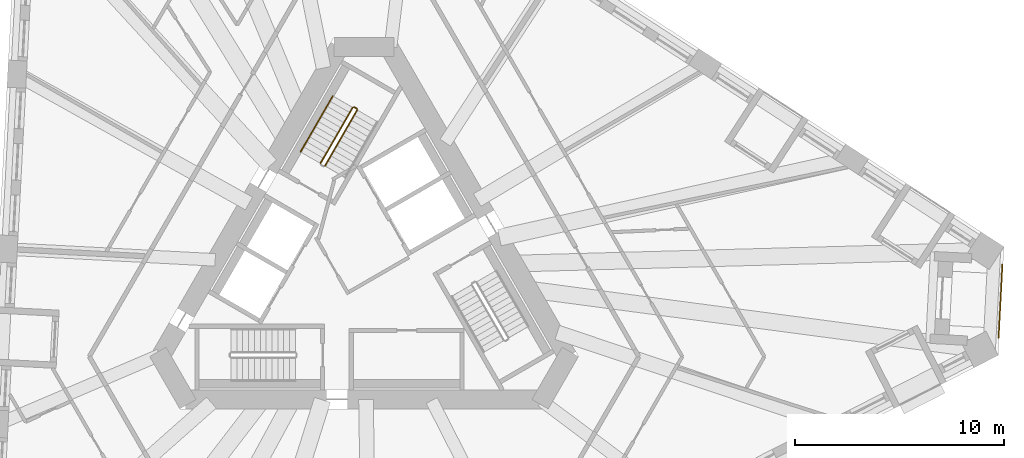
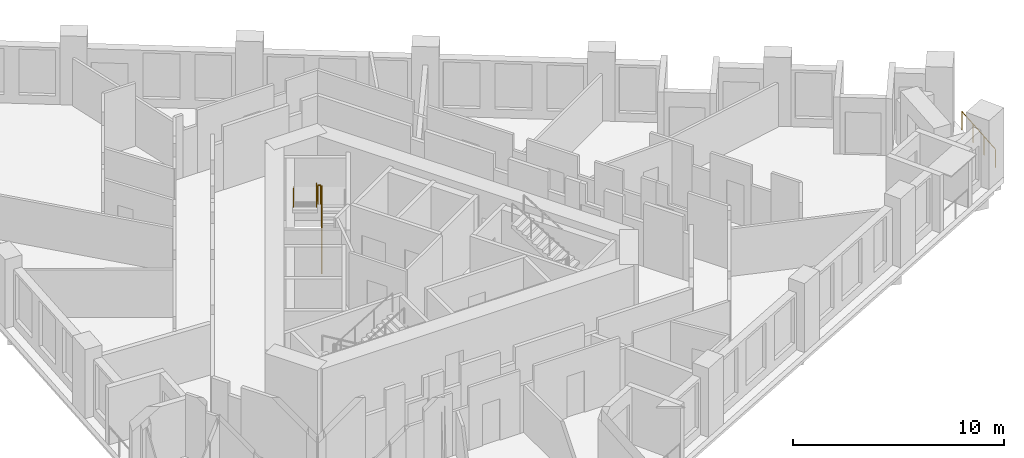
# One storey, part 11 of 12: 5 railings.
"""IFC4 building model written with IfcOpenShell, lengths in metres."""

from ifc_helpers import new_model, si_unit, direction, frame, origin, origin_2d, place, context, subcontext, project, spatial, circle, extrude, material, type_object, element, save


model = new_model("IFC4")

# Units and contexts
model_context = context("Model", 3, precision=1e-05, world=origin(), true_north=direction((0.0, 1.0)))
body_context = subcontext(model_context, "Body", "Model", "MODEL_VIEW")
ifc_project = project(units=[si_unit("LENGTHUNIT", "METRE"), si_unit("AREAUNIT", "SQUARE_METRE"), si_unit("VOLUMEUNIT", "CUBIC_METRE"), si_unit("PLANEANGLEUNIT", "RADIAN"), si_unit("MASSUNIT", "GRAM", prefix="KILO")], contexts=[model_context])

# Site, building, storey
site_placement = place(None, origin())
site = spatial("IfcSite", under=ifc_project, at=site_placement, CompositionType="ELEMENT")
building_placement = place(site_placement, origin())
building = spatial("IfcBuilding", under=site, at=building_placement, Name="Tramontana Tower", CompositionType="ELEMENT")
storey_placement = place(building_placement, frame((0.0, 0.0, 133.60009765625)))
storey = spatial("IfcBuildingStorey", under=building, at=storey_placement, Name="L30", CompositionType="ELEMENT", Elevation=133.60009765625)

# Railings
ifc_material_1 = material(Name="Laminated glass balustrade", Category="glass")
railing_type_1 = type_object("IfcRailingType", Name="GD1 Loggia glass balustrade 1100", PredefinedType="BALUSTRADE", material=ifc_material_1)
railing_1_placement = place(storey_placement, frame((30.519775390625, 0.15283203125, 0.0)))
element("IfcRailing", 1, at=railing_1_placement, inside=storey, type_object=railing_type_1, Name="Corner loggia balustrade L30 K32", PredefinedType="BALUSTRADE", context=body_context, shape_type="SweptSolid", body=[
    extrude(circle(Radius=0.02392578125, at=origin_2d()), frame((0.0, 0.0, 1.076171875), z_axis=(-0.052317189757, -0.998630518088, 0.0), x_axis=(0.998630518088, -0.052317189757, 0.0)), (0.0, 0.0, 1.0), 3.5),
    extrude(circle(Radius=0.02099609375, at=origin_2d()), origin(), (0.0, 0.0, 1.0), 1.052001953125),
    extrude(circle(Radius=0.02099609375, at=origin_2d()), frame((-0.06103515625, -1.1650390625, 0.0)), (0.0, 0.0, 1.0), 1.052001953125),
    extrude(circle(Radius=0.02099609375, at=origin_2d()), frame((-0.1220703125, -2.330078125, 0.0)), (0.0, 0.0, 1.0), 1.052001953125),
    extrude(circle(Radius=0.02099609375, at=origin_2d()), frame((-0.18310546875, -3.4951171875, 0.0)), (0.0, 0.0, 1.0), 1.052001953125),
])
ifc_material_2 = material(Name="Painted steel", Category="steel")
railing_type_2 = type_object("IfcRailingType", Name="STAIR GUARD 1100", PredefinedType="GUARDRAIL", material=ifc_material_2)
railing_2_placement = place(storey_placement, frame((-1.867431640625, 4.865478515625, 0.16650390625)))
element("IfcRailing", 2, at=railing_2_placement, inside=storey, type_object=railing_type_2, Name="L30 ST1 stair guard 1", PredefinedType="GUARDRAIL", context=body_context, shape_type="SweptSolid", body=[
    extrude(circle(Radius=0.02392578125, at=origin_2d()), frame((0.0, 0.0, 1.076171875), z_axis=(0.429634447492, 0.7441639146, 0.511502013422), x_axis=(-0.866029832698, 0.499992328818, 0.0)), (0.0, 0.0, 1.0), 3.58447265625),
    extrude(circle(Radius=0.02099609375, at=origin_2d()), origin(), (0.0, 0.0, 1.0), 1.052001953125),
    extrude(circle(Radius=0.02099609375, at=origin_2d()), frame((0.513427734375, 0.88916015625, 0.611083984375)), (0.0, 0.0, 1.0), 1.052001953125),
    extrude(circle(Radius=0.02099609375, at=origin_2d()), frame((1.026611328125, 1.7783203125, 1.222412109375)), (0.0, 0.0, 1.0), 1.052001953125),
    extrude(circle(Radius=0.02099609375, at=origin_2d()), frame((1.5400390625, 2.66748046875, 1.83349609375)), (0.0, 0.0, 1.0), 1.052001953125),
])
railing_3_placement = place(storey_placement, frame((-0.5439453125, 7.657958984375, 2.16650390625)))
element("IfcRailing", 3, at=railing_3_placement, inside=storey, type_object=railing_type_2, Name="L30 ST1 stair guard 2", PredefinedType="GUARDRAIL", context=body_context, shape_type="SweptSolid", body=[
    extrude(circle(Radius=0.02392578125, at=origin_2d()), frame((0.0, 0.0, 1.076171875), z_axis=(-0.429634447492, -0.7441639146, 0.511502013422), x_axis=(0.866029832698, -0.499992328818, 0.0)), (0.0, 0.0, 1.0), 3.58447265625),
    extrude(circle(Radius=0.02099609375, at=origin_2d()), origin(), (0.0, 0.0, 1.0), 1.052001953125),
    extrude(circle(Radius=0.02099609375, at=origin_2d()), frame((-0.513427734375, -0.88916015625, 0.611083984375)), (0.0, 0.0, 1.0), 1.052001953125),
    extrude(circle(Radius=0.02099609375, at=origin_2d()), frame((-1.026611328125, -1.7783203125, 1.222412109375)), (0.0, 0.0, 1.0), 1.052001953125),
    extrude(circle(Radius=0.02099609375, at=origin_2d()), frame((-1.5400390625, -2.66748046875, 1.83349609375)), (0.0, 0.0, 1.0), 1.052001953125),
])
railing_4_placement = place(storey_placement, frame((-0.345703125, 7.601318359375, 2.0)))
element("IfcRailing", 4, at=railing_4_placement, inside=storey, type_object=railing_type_2, Name="L30 ST1 stair guard 3", PredefinedType="GUARDRAIL", context=body_context, shape_type="SweptSolid", body=[
    extrude(circle(Radius=0.02392578125, at=origin_2d()), frame((0.0, 0.0, 1.076171875), z_axis=(-0.866131372301, 0.499816412211, 0.0), x_axis=(-0.499816412211, -0.866131372301, 0.0)), (0.0, 0.0, 1.0), 0.14990234375),
    extrude(circle(Radius=0.02099609375, at=origin_2d()), origin(), (0.0, 0.0, 1.0), 1.052001953125),
    extrude(circle(Radius=0.02099609375, at=origin_2d()), frame((-0.1298828125, 0.074951171875, 0.0)), (0.0, 0.0, 1.0), 1.052001953125),
])
ifc_material_3 = material(Name="Painted steel", Category="steel")
railing_type_3 = type_object("IfcRailingType", Name="STAIR HANDRAIL 900", PredefinedType="HANDRAIL", material=ifc_material_3)
railing_5_placement = place(storey_placement, frame((-1.49658203125, 8.2080078125, 2.16650390625)))
element("IfcRailing", 5, at=railing_5_placement, inside=storey, type_object=railing_type_3, Name="L30 ST1 stair handrail 2", PredefinedType="HANDRAIL", context=body_context, shape_type="SweptSolid", body=[
    extrude(circle(Radius=0.02392578125, at=origin_2d()), frame((0.0, 0.0, 0.8759765625), z_axis=(-0.429634447492, -0.7441639146, 0.511502013422), x_axis=(0.866029832698, -0.499992328818, 0.0)), (0.0, 0.0, 1.0), 3.58447265625),
    extrude(circle(Radius=0.02099609375, at=origin_2d()), origin(), (0.0, 0.0, 1.0), 0.851806640625),
    extrude(circle(Radius=0.02099609375, at=origin_2d()), frame((-0.513427734375, -0.88916015625, 0.611083984375)), (0.0, 0.0, 1.0), 0.851806640625),
    extrude(circle(Radius=0.02099609375, at=origin_2d()), frame((-1.026611328125, -1.7783203125, 1.222412109375)), (0.0, 0.0, 1.0), 0.851806640625),
    extrude(circle(Radius=0.02099609375, at=origin_2d()), frame((-1.5400390625, -2.66748046875, 1.83349609375)), (0.0, 0.0, 1.0), 0.851806640625),
])

save(model, "model.ifc")
